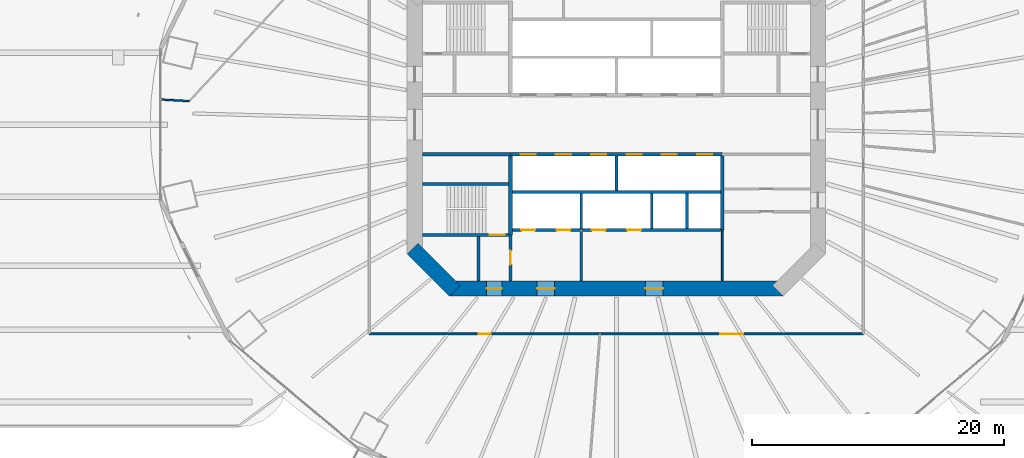
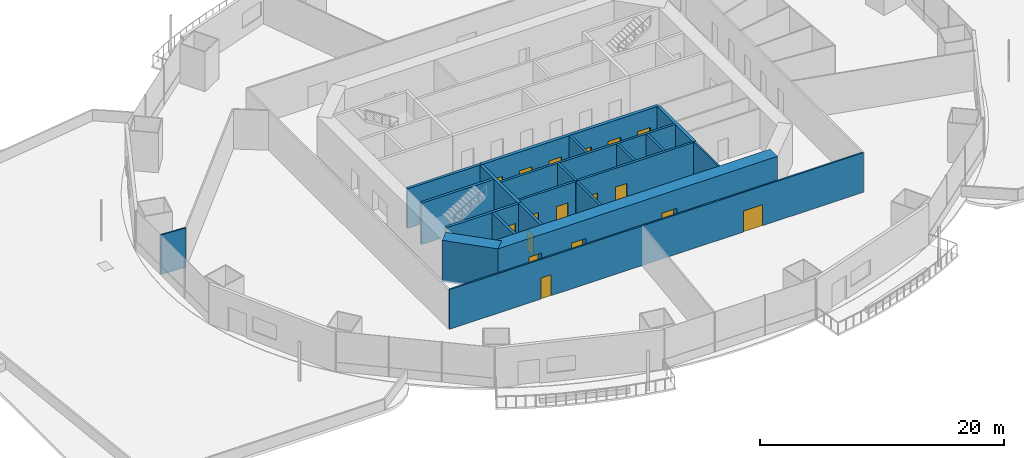
# One storey, part 18 of 27: 21 walls, 17 doors, 17 openings.
"""IFC4 building model written with IfcOpenShell, lengths in metres."""

from ifc_helpers import new_model, si_unit, direction, frame, frame_2d, origin, place, context, subcontext, project, spatial, rectangle, extrude, material, layer, layer_set, type_object, element, fill, save


model = new_model("IFC4")

# Units and contexts
model_context = context("Model", 3, precision=1e-05, world=origin(), true_north=direction((0.0, 1.0)))
body_context = subcontext(model_context, "Body", "Model", "MODEL_VIEW")
ifc_project = project(units=[si_unit("LENGTHUNIT", "METRE"), si_unit("AREAUNIT", "SQUARE_METRE"), si_unit("VOLUMEUNIT", "CUBIC_METRE"), si_unit("PLANEANGLEUNIT", "RADIAN"), si_unit("MASSUNIT", "GRAM", prefix="KILO")], contexts=[model_context])

# Site, building, storey
site_placement = place(None, origin())
site = spatial("IfcSite", under=ifc_project, at=site_placement, CompositionType="ELEMENT")
building_placement = place(site_placement, origin())
building = spatial("IfcBuilding", under=site, at=building_placement, Name="Marenthal Gate Tower", CompositionType="ELEMENT")
storey_placement = place(building_placement, frame((0.0, 0.0, 33.0)))
storey = spatial("IfcBuildingStorey", under=building, at=storey_placement, Name="L04", CompositionType="ELEMENT", Elevation=33.0)

# Wall
ifc_material_1 = material(Name="Concrete 60 MPa", Category="concrete")
ifc_layer_1 = layer(ifc_material_1, 1.199951171875)
ifc_layer_set_1 = layer_set([ifc_layer_1], Name="Core shear wall 1200")
wall_type_1 = type_object("IfcWallType", Name="Core shear wall 1200", PredefinedType="SHEAR", material=ifc_layer_set_1)
wall_1_placement = place(storey_placement, frame((-16.17578125, -9.82421875, -0.179931640625), z_axis=(0.0, 0.0, 1.0), x_axis=(0.707106781187, -0.707106781187, 0.0)))
element("IfcWall", 1, at=wall_1_placement, inside=storey, type_object=wall_type_1, Name="Core wall 07", PredefinedType="SHEAR", context=body_context, shape_type="SweptSolid", body=[
    extrude(rectangle(XDim=4.73974609375, YDim=1.199951171875, at=frame_2d((2.369873046875, 0.0))), origin(), (0.0, 0.0, 1.0), 4.14990234375),
])

# Wall, openings, doors
wall_2_placement = place(storey_placement, frame((-13.24853515625, -13.0, -0.179931640625), z_axis=(0.0, 0.0, 1.0), x_axis=(1.0, 0.0, 0.0)))
wall_2 = element("IfcWall", 2, at=wall_2_placement, inside=storey, type_object=wall_type_1, Name="Core wall 08", PredefinedType="SHEAR", context=body_context, shape_type="SweptSolid", body=[
    extrude(rectangle(XDim=26.4970703125, YDim=1.199951171875, at=frame_2d((13.24853515625, 0.0))), origin(), (0.0, 0.0, 1.0), 4.14990234375),
])
opening_1_placement = place(wall_2_placement, frame((2.948486328125, 0.0, 0.179931640625)))
opening_1 = element("IfcOpeningElement", 3, at=opening_1_placement, cuts=wall_2, Name="Opening D001.06", PredefinedType="OPENING", context=body_context, shape_type="SweptSolid", body=[
    extrude(rectangle(XDim=1.199951171875, YDim=2.10009765625, at=frame_2d((0.60009765625, 1.050048828125))), frame((0.0, 0.60986328125, 0.0), z_axis=(0.0, -1.0, 0.0), x_axis=(1.0, 0.0, 0.0)), (0.0, 0.0, 1.0), 1.219970703125),
])
opening_2_placement = place(wall_2_placement, frame((6.948486328125, 0.0, 0.179931640625)))
opening_2 = element("IfcOpeningElement", 4, at=opening_2_placement, cuts=wall_2, Name="Opening D004.01", PredefinedType="OPENING", context=body_context, shape_type="SweptSolid", body=[
    extrude(rectangle(XDim=1.39990234375, YDim=2.10009765625, at=frame_2d((0.699951171875, 1.050048828125))), frame((0.0, 0.60986328125, 0.0), z_axis=(0.0, -1.0, 0.0), x_axis=(1.0, 0.0, 0.0)), (0.0, 0.0, 1.0), 1.219970703125),
])
opening_3_placement = place(wall_2_placement, frame((15.548583984375, 0.0, 0.179931640625)))
opening_3 = element("IfcOpeningElement", 5, at=opening_3_placement, cuts=wall_2, Name="Opening D004.02", PredefinedType="OPENING", context=body_context, shape_type="SweptSolid", body=[
    extrude(rectangle(XDim=1.39990234375, YDim=2.10009765625, at=frame_2d((0.699951171875, 1.050048828125))), frame((0.0, 0.60986328125, 0.0), z_axis=(0.0, -1.0, 0.0), x_axis=(1.0, 0.0, 0.0)), (0.0, 0.0, 1.0), 1.219970703125),
])
ifc_material_2 = material(Name="Steel fire door", Category="steel")
door_type_1 = type_object("IfcDoorType", Name="Fire door FD 45 1400 x 2100", OperationType="NOTDEFINED", PredefinedType="DOOR", material=ifc_material_2)
door_1_placement = place(opening_2_placement, origin())
door_1 = element("IfcDoor", 6, at=door_1_placement, inside=storey, type_object=door_type_1, Name="Door D004.01", OperationType="SINGLE_SWING_RIGHT", OverallHeight=2.10009765625, OverallWidth=1.39990234375, PredefinedType="DOOR", context=body_context, shape_type="SweptSolid", body=[
    extrude(rectangle(XDim=1.39990234375, YDim=2.10009765625, at=frame_2d((0.699951171875, 1.050048828125))), frame((0.0, 0.02490234375, 0.0), z_axis=(0.0, -1.0, 0.0), x_axis=(1.0, 0.0, 0.0)), (0.0, 0.0, 1.0), 0.050048828125),
])
fill(opening_2, door_1)
door_2_placement = place(opening_3_placement, origin())
door_2 = element("IfcDoor", 7, at=door_2_placement, inside=storey, type_object=door_type_1, Name="Door D004.02", OperationType="SINGLE_SWING_RIGHT", OverallHeight=2.10009765625, OverallWidth=1.39990234375, PredefinedType="DOOR", context=body_context, shape_type="SweptSolid", body=[
    extrude(rectangle(XDim=1.39990234375, YDim=2.10009765625, at=frame_2d((0.699951171875, 1.050048828125))), frame((0.0, 0.02490234375, 0.0), z_axis=(0.0, -1.0, 0.0), x_axis=(1.0, 0.0, 0.0)), (0.0, 0.0, 1.0), 0.050048828125),
])
fill(opening_3, door_2)
ifc_material_3 = material(Name="Steel fire door", Category="steel")
door_type_2 = type_object("IfcDoorType", Name="Fire door FD 90 1200 x 2100", OperationType="NOTDEFINED", PredefinedType="DOOR", material=ifc_material_3)
door_3_placement = place(opening_1_placement, origin())
door_3 = element("IfcDoor", 8, at=door_3_placement, inside=storey, type_object=door_type_2, Name="Door D001.06", OperationType="SINGLE_SWING_RIGHT", OverallHeight=2.10009765625, OverallWidth=1.199951171875, PredefinedType="DOOR", context=body_context, shape_type="SweptSolid", body=[
    extrude(rectangle(XDim=1.199951171875, YDim=2.10009765625, at=frame_2d((0.60009765625, 1.050048828125))), frame((0.0, 0.02490234375, 0.0), z_axis=(0.0, -1.0, 0.0), x_axis=(1.0, 0.0, 0.0)), (0.0, 0.0, 1.0), 0.050048828125),
])
fill(opening_1, door_3)

# Wall
ifc_material_4 = material(Name="Gypsum board on steel studs", Category="steel")
ifc_layer_2 = layer(ifc_material_4, 0.199951171875)
ifc_layer_set_2 = layer_set([ifc_layer_2], Name="Fire lobby wall 200")
wall_type_2 = type_object("IfcWallType", Name="Fire lobby wall 200", PredefinedType="PARTITIONING", material=ifc_layer_set_2)
wall_3_placement = place(storey_placement, frame((-2.800048828125, -12.39990234375, 0.0), z_axis=(0.0, 0.0, 1.0), x_axis=(0.0, 1.0, 0.0)))
element("IfcWall", 9, at=wall_3_placement, inside=storey, type_object=wall_type_2, Name="Fire wall 35", PredefinedType="PARTITIONING", context=body_context, shape_type="SweptSolid", body=[
    extrude(rectangle(XDim=3.93994140625, YDim=0.199951171875, at=frame_2d((1.969970703125, 0.0))), origin(), (0.0, 0.0, 1.0), 3.969970703125),
])

# Wall, openings, doors
ifc_material_5 = material(Name="Concrete 50 MPa", Category="concrete")
ifc_layer_3 = layer(ifc_material_5, 0.300048828125)
ifc_layer_set_3 = layer_set([ifc_layer_3], Name="Hoistway shear wall 300")
wall_type_3 = type_object("IfcWallType", Name="Hoistway shear wall 300", PredefinedType="SHEAR", material=ifc_layer_set_3)
wall_4_placement = place(storey_placement, frame((-8.39990234375, -2.35009765625, -0.179931640625), z_axis=(0.0, 0.0, 1.0), x_axis=(1.0, 0.0, 0.0)))
wall_4 = element("IfcWall", 10, at=wall_4_placement, inside=storey, type_object=wall_type_3, Name="Hoistway wall 17", PredefinedType="SHEAR", context=body_context, shape_type="SweptSolid", body=[
    extrude(rectangle(XDim=16.7998046875, YDim=0.300048828125, at=frame_2d((8.39990234375, 0.0))), origin(), (0.0, 0.0, 1.0), 4.14990234375),
])
opening_4_placement = place(wall_4_placement, frame((0.800048828125, 0.0, 0.179931640625)))
opening_4 = element("IfcOpeningElement", 11, at=opening_4_placement, cuts=wall_4, Name="Opening LD-LP7", PredefinedType="OPENING", context=body_context, shape_type="SweptSolid", body=[
    extrude(rectangle(XDim=1.199951171875, YDim=2.10009765625, at=frame_2d((0.60009765625, 1.050048828125))), frame((0.0, 0.16015625, 0.0), z_axis=(0.0, -1.0, 0.0), x_axis=(1.0, 0.0, 0.0)), (0.0, 0.0, 1.0), 0.320068359375),
])
opening_5_placement = place(wall_4_placement, frame((3.60009765625, 0.0, 0.179931640625)))
opening_5 = element("IfcOpeningElement", 12, at=opening_5_placement, cuts=wall_4, Name="Opening LD-LP8", PredefinedType="OPENING", context=body_context, shape_type="SweptSolid", body=[
    extrude(rectangle(XDim=1.199951171875, YDim=2.10009765625, at=frame_2d((0.60009765625, 1.050048828125))), frame((0.0, 0.16015625, 0.0), z_axis=(0.0, -1.0, 0.0), x_axis=(1.0, 0.0, 0.0)), (0.0, 0.0, 1.0), 0.320068359375),
])
opening_6_placement = place(wall_4_placement, frame((6.39990234375, 0.0, 0.179931640625)))
opening_6 = element("IfcOpeningElement", 13, at=opening_6_placement, cuts=wall_4, Name="Opening LD-LP9", PredefinedType="OPENING", context=body_context, shape_type="SweptSolid", body=[
    extrude(rectangle(XDim=1.199951171875, YDim=2.10009765625, at=frame_2d((0.60009765625, 1.050048828125))), frame((0.0, 0.16015625, 0.0), z_axis=(0.0, -1.0, 0.0), x_axis=(1.0, 0.0, 0.0)), (0.0, 0.0, 1.0), 0.320068359375),
])
opening_7_placement = place(wall_4_placement, frame((9.199951171875, 0.0, 0.179931640625)))
opening_7 = element("IfcOpeningElement", 14, at=opening_7_placement, cuts=wall_4, Name="Opening LD-LP10", PredefinedType="OPENING", context=body_context, shape_type="SweptSolid", body=[
    extrude(rectangle(XDim=1.199951171875, YDim=2.10009765625, at=frame_2d((0.60009765625, 1.050048828125))), frame((0.0, 0.16015625, 0.0), z_axis=(0.0, -1.0, 0.0), x_axis=(1.0, 0.0, 0.0)), (0.0, 0.0, 1.0), 0.320068359375),
])
opening_8_placement = place(wall_4_placement, frame((12.0, 0.0, 0.179931640625)))
opening_8 = element("IfcOpeningElement", 15, at=opening_8_placement, cuts=wall_4, Name="Opening LD-LP11", PredefinedType="OPENING", context=body_context, shape_type="SweptSolid", body=[
    extrude(rectangle(XDim=1.199951171875, YDim=2.10009765625, at=frame_2d((0.60009765625, 1.050048828125))), frame((0.0, 0.16015625, 0.0), z_axis=(0.0, -1.0, 0.0), x_axis=(1.0, 0.0, 0.0)), (0.0, 0.0, 1.0), 0.320068359375),
])
opening_9_placement = place(wall_4_placement, frame((14.800048828125, 0.0, 0.179931640625)))
opening_9 = element("IfcOpeningElement", 16, at=opening_9_placement, cuts=wall_4, Name="Opening LD-LP12", PredefinedType="OPENING", context=body_context, shape_type="SweptSolid", body=[
    extrude(rectangle(XDim=1.199951171875, YDim=2.10009765625, at=frame_2d((0.60009765625, 1.050048828125))), frame((0.0, 0.16015625, 0.0), z_axis=(0.0, -1.0, 0.0), x_axis=(1.0, 0.0, 0.0)), (0.0, 0.0, 1.0), 0.320068359375),
])
ifc_material_6 = material(Name="Stainless steel sliding door", Category="steel")
door_type_3 = type_object("IfcDoorType", Name="Lift landing door FD 90 1200 x 2100", OperationType="DOUBLE_DOOR_SLIDING", PredefinedType="DOOR", material=ifc_material_6)
door_4_placement = place(opening_4_placement, origin())
door_4 = element("IfcDoor", 17, at=door_4_placement, inside=storey, type_object=door_type_3, Name="Lift landing door LP7", OperationType="DOUBLE_DOOR_SLIDING", OverallHeight=2.10009765625, OverallWidth=1.199951171875, PredefinedType="DOOR", context=body_context, shape_type="SweptSolid", body=[
    extrude(rectangle(XDim=1.199951171875, YDim=2.10009765625, at=frame_2d((0.60009765625, 1.050048828125))), frame((0.0, 0.02490234375, 0.0), z_axis=(0.0, -1.0, 0.0), x_axis=(1.0, 0.0, 0.0)), (0.0, 0.0, 1.0), 0.050048828125),
])
fill(opening_4, door_4)
door_5_placement = place(opening_5_placement, origin())
door_5 = element("IfcDoor", 18, at=door_5_placement, inside=storey, type_object=door_type_3, Name="Lift landing door LP8", OperationType="DOUBLE_DOOR_SLIDING", OverallHeight=2.10009765625, OverallWidth=1.199951171875, PredefinedType="DOOR", context=body_context, shape_type="SweptSolid", body=[
    extrude(rectangle(XDim=1.199951171875, YDim=2.10009765625, at=frame_2d((0.60009765625, 1.050048828125))), frame((0.0, 0.02490234375, 0.0), z_axis=(0.0, -1.0, 0.0), x_axis=(1.0, 0.0, 0.0)), (0.0, 0.0, 1.0), 0.050048828125),
])
fill(opening_5, door_5)
door_6_placement = place(opening_6_placement, origin())
door_6 = element("IfcDoor", 19, at=door_6_placement, inside=storey, type_object=door_type_3, Name="Lift landing door LP9", OperationType="DOUBLE_DOOR_SLIDING", OverallHeight=2.10009765625, OverallWidth=1.199951171875, PredefinedType="DOOR", context=body_context, shape_type="SweptSolid", body=[
    extrude(rectangle(XDim=1.199951171875, YDim=2.10009765625, at=frame_2d((0.60009765625, 1.050048828125))), frame((0.0, 0.02490234375, 0.0), z_axis=(0.0, -1.0, 0.0), x_axis=(1.0, 0.0, 0.0)), (0.0, 0.0, 1.0), 0.050048828125),
])
fill(opening_6, door_6)
door_7_placement = place(opening_7_placement, origin())
door_7 = element("IfcDoor", 20, at=door_7_placement, inside=storey, type_object=door_type_3, Name="Lift landing door LP10", OperationType="DOUBLE_DOOR_SLIDING", OverallHeight=2.10009765625, OverallWidth=1.199951171875, PredefinedType="DOOR", context=body_context, shape_type="SweptSolid", body=[
    extrude(rectangle(XDim=1.199951171875, YDim=2.10009765625, at=frame_2d((0.60009765625, 1.050048828125))), frame((0.0, 0.02490234375, 0.0), z_axis=(0.0, -1.0, 0.0), x_axis=(1.0, 0.0, 0.0)), (0.0, 0.0, 1.0), 0.050048828125),
])
fill(opening_7, door_7)
door_8_placement = place(opening_8_placement, origin())
door_8 = element("IfcDoor", 21, at=door_8_placement, inside=storey, type_object=door_type_3, Name="Lift landing door LP11", OperationType="DOUBLE_DOOR_SLIDING", OverallHeight=2.10009765625, OverallWidth=1.199951171875, PredefinedType="DOOR", context=body_context, shape_type="SweptSolid", body=[
    extrude(rectangle(XDim=1.199951171875, YDim=2.10009765625, at=frame_2d((0.60009765625, 1.050048828125))), frame((0.0, 0.02490234375, 0.0), z_axis=(0.0, -1.0, 0.0), x_axis=(1.0, 0.0, 0.0)), (0.0, 0.0, 1.0), 0.050048828125),
])
fill(opening_8, door_8)
door_9_placement = place(opening_9_placement, origin())
door_9 = element("IfcDoor", 22, at=door_9_placement, inside=storey, type_object=door_type_3, Name="Lift landing door LP12", OperationType="DOUBLE_DOOR_SLIDING", OverallHeight=2.10009765625, OverallWidth=1.199951171875, PredefinedType="DOOR", context=body_context, shape_type="SweptSolid", body=[
    extrude(rectangle(XDim=1.199951171875, YDim=2.10009765625, at=frame_2d((0.60009765625, 1.050048828125))), frame((0.0, 0.02490234375, 0.0), z_axis=(0.0, -1.0, 0.0), x_axis=(1.0, 0.0, 0.0)), (0.0, 0.0, 1.0), 0.050048828125),
])
fill(opening_9, door_9)

# Walls
wall_5_placement = place(storey_placement, frame((-8.39990234375, -8.75, -0.179931640625), z_axis=(0.0, 0.0, 1.0), x_axis=(0.0, 1.0, 0.0)))
element("IfcWall", 23, at=wall_5_placement, inside=storey, type_object=wall_type_3, Name="Hoistway wall 31", PredefinedType="SHEAR", context=body_context, shape_type="SweptSolid", body=[
    extrude(rectangle(XDim=6.25, YDim=0.300048828125, at=frame_2d((3.125, 0.0))), origin(), (0.0, 0.0, 1.0), 4.14990234375),
])
wall_6_placement = place(storey_placement, frame((8.39990234375, -8.35009765625, -0.179931640625), z_axis=(0.0, 0.0, 1.0), x_axis=(0.0, 1.0, 0.0)))
element("IfcWall", 24, at=wall_6_placement, inside=storey, type_object=wall_type_3, Name="Hoistway wall 43", PredefinedType="SHEAR", context=body_context, shape_type="SweptSolid", body=[
    extrude(rectangle(XDim=5.85009765625, YDim=0.300048828125, at=frame_2d((2.925048828125, 0.0))), origin(), (0.0, 0.0, 1.0), 4.14990234375),
])

# Wall, openings, doors
ifc_material_7 = material(Name="Concrete 40 MPa", Category="concrete")
ifc_layer_4 = layer(ifc_material_7, 0.219970703125)
ifc_layer_set_4 = layer_set([ifc_layer_4], Name="Hoistway wall 220")
wall_type_4 = type_object("IfcWallType", Name="Hoistway wall 220", PredefinedType="STANDARD", material=ifc_layer_set_4)
wall_7_placement = place(storey_placement, frame((-8.25, -8.35009765625, 0.0), z_axis=(0.0, 0.0, 1.0), x_axis=(1.0, 0.0, 0.0)))
wall_7 = element("IfcWall", 25, at=wall_7_placement, inside=storey, type_object=wall_type_4, Name="Hoistway wall 10", PredefinedType="STANDARD", context=body_context, shape_type="SweptSolid", body=[
    extrude(rectangle(XDim=5.340087890625, YDim=0.219970703125, at=frame_2d((2.669921875, 0.0))), origin(), (0.0, 0.0, 1.0), 3.969970703125),
])
opening_10_placement = place(wall_7_placement, frame((0.699951171875, 0.0, 0.0)))
opening_10 = element("IfcOpeningElement", 26, at=opening_10_placement, cuts=wall_7, Name="Opening LD-LF1", PredefinedType="OPENING", context=body_context, shape_type="SweptSolid", body=[
    extrude(rectangle(XDim=1.10009765625, YDim=2.10009765625, at=frame_2d((0.550048828125, 1.050048828125))), frame((0.0, 0.1201171875, 0.0), z_axis=(0.0, -1.0, 0.0), x_axis=(1.0, 0.0, 0.0)), (0.0, 0.0, 1.0), 0.239990234375),
])
opening_11_placement = place(wall_7_placement, frame((3.5, 0.0, 0.0)))
opening_11 = element("IfcOpeningElement", 27, at=opening_11_placement, cuts=wall_7, Name="Opening LD-LF2", PredefinedType="OPENING", context=body_context, shape_type="SweptSolid", body=[
    extrude(rectangle(XDim=1.10009765625, YDim=2.10009765625, at=frame_2d((0.550048828125, 1.050048828125))), frame((0.0, 0.1201171875, 0.0), z_axis=(0.0, -1.0, 0.0), x_axis=(1.0, 0.0, 0.0)), (0.0, 0.0, 1.0), 0.239990234375),
])
ifc_material_8 = material(Name="Stainless steel sliding door", Category="steel")
door_type_4 = type_object("IfcDoorType", Name="Lift landing door FD 90 1100 x 2100", OperationType="DOUBLE_DOOR_SLIDING", PredefinedType="DOOR", material=ifc_material_8)
door_10_placement = place(opening_10_placement, origin())
door_10 = element("IfcDoor", 28, at=door_10_placement, inside=storey, type_object=door_type_4, Name="Lift landing door LF1", OperationType="DOUBLE_DOOR_SLIDING", OverallHeight=2.10009765625, OverallWidth=1.10009765625, PredefinedType="DOOR", context=body_context, shape_type="SweptSolid", body=[
    extrude(rectangle(XDim=1.10009765625, YDim=2.10009765625, at=frame_2d((0.550048828125, 1.050048828125))), frame((0.0, 0.02490234375, 0.0), z_axis=(0.0, -1.0, 0.0), x_axis=(1.0, 0.0, 0.0)), (0.0, 0.0, 1.0), 0.050048828125),
])
fill(opening_10, door_10)
door_11_placement = place(opening_11_placement, origin())
door_11 = element("IfcDoor", 29, at=door_11_placement, inside=storey, type_object=door_type_4, Name="Lift landing door LF2", OperationType="DOUBLE_DOOR_SLIDING", OverallHeight=2.10009765625, OverallWidth=1.10009765625, PredefinedType="DOOR", context=body_context, shape_type="SweptSolid", body=[
    extrude(rectangle(XDim=1.10009765625, YDim=2.10009765625, at=frame_2d((0.550048828125, 1.050048828125))), frame((0.0, 0.02490234375, 0.0), z_axis=(0.0, -1.0, 0.0), x_axis=(1.0, 0.0, 0.0)), (0.0, 0.0, 1.0), 0.050048828125),
])
fill(opening_11, door_11)

wall_8_placement = place(storey_placement, frame((-2.68994140625, -8.35009765625, 0.0), z_axis=(0.0, 0.0, 1.0), x_axis=(1.0, 0.0, 0.0)))
wall_8 = element("IfcWall", 30, at=wall_8_placement, inside=storey, type_object=wall_type_4, Name="Hoistway wall 11", PredefinedType="STANDARD", context=body_context, shape_type="SweptSolid", body=[
    extrude(rectangle(XDim=10.93994140625, YDim=0.219970703125, at=frame_2d((5.469970703125, 0.0))), origin(), (0.0, 0.0, 1.0), 3.969970703125),
])
opening_12_placement = place(wall_8_placement, frame((0.739990234375, 0.0, 0.0)))
opening_12 = element("IfcOpeningElement", 31, at=opening_12_placement, cuts=wall_8, Name="Opening LD-SV1", PredefinedType="OPENING", context=body_context, shape_type="SweptSolid", body=[
    extrude(rectangle(XDim=1.10009765625, YDim=2.10009765625, at=frame_2d((0.550048828125, 1.050048828125))), frame((0.0, 0.1201171875, 0.0), z_axis=(0.0, -1.0, 0.0), x_axis=(1.0, 0.0, 0.0)), (0.0, 0.0, 1.0), 0.239990234375),
])
opening_13_placement = place(wall_8_placement, frame((3.5400390625, 0.0, 0.0)))
opening_13 = element("IfcOpeningElement", 32, at=opening_13_placement, cuts=wall_8, Name="Opening LD-SV2", PredefinedType="OPENING", context=body_context, shape_type="SweptSolid", body=[
    extrude(rectangle(XDim=1.10009765625, YDim=2.10009765625, at=frame_2d((0.550048828125, 1.050048828125))), frame((0.0, 0.1201171875, 0.0), z_axis=(0.0, -1.0, 0.0), x_axis=(1.0, 0.0, 0.0)), (0.0, 0.0, 1.0), 0.239990234375),
])
door_12_placement = place(opening_12_placement, origin())
door_12 = element("IfcDoor", 33, at=door_12_placement, inside=storey, type_object=door_type_4, Name="Lift landing door SV1", OperationType="DOUBLE_DOOR_SLIDING", OverallHeight=2.10009765625, OverallWidth=1.10009765625, PredefinedType="DOOR", context=body_context, shape_type="SweptSolid", body=[
    extrude(rectangle(XDim=1.10009765625, YDim=2.10009765625, at=frame_2d((0.550048828125, 1.050048828125))), frame((0.0, 0.02490234375, 0.0), z_axis=(0.0, -1.0, 0.0), x_axis=(1.0, 0.0, 0.0)), (0.0, 0.0, 1.0), 0.050048828125),
])
fill(opening_12, door_12)
door_13_placement = place(opening_13_placement, origin())
door_13 = element("IfcDoor", 34, at=door_13_placement, inside=storey, type_object=door_type_4, Name="Lift landing door SV2", OperationType="DOUBLE_DOOR_SLIDING", OverallHeight=2.10009765625, OverallWidth=1.10009765625, PredefinedType="DOOR", context=body_context, shape_type="SweptSolid", body=[
    extrude(rectangle(XDim=1.10009765625, YDim=2.10009765625, at=frame_2d((0.550048828125, 1.050048828125))), frame((0.0, 0.02490234375, 0.0), z_axis=(0.0, -1.0, 0.0), x_axis=(1.0, 0.0, 0.0)), (0.0, 0.0, 1.0), 0.050048828125),
])
fill(opening_13, door_13)

# Walls
wall_9_placement = place(storey_placement, frame((-8.25, -5.35009765625, 0.0), z_axis=(0.0, 0.0, 1.0), x_axis=(1.0, 0.0, 0.0)))
element("IfcWall", 35, at=wall_9_placement, inside=storey, type_object=wall_type_4, Name="Hoistway wall 13", PredefinedType="STANDARD", context=body_context, shape_type="SweptSolid", body=[
    extrude(rectangle(XDim=16.5, YDim=0.219970703125, at=frame_2d((8.25, 0.0))), origin(), (0.0, 0.0, 1.0), 3.969970703125),
])
wall_10_placement = place(storey_placement, frame((-2.800048828125, -8.35009765625, 0.0), z_axis=(0.0, 0.0, 1.0), x_axis=(0.0, 1.0, 0.0)))
element("IfcWall", 36, at=wall_10_placement, inside=storey, type_object=wall_type_4, Name="Hoistway wall 36", PredefinedType="STANDARD", context=body_context, shape_type="SweptSolid", body=[
    extrude(rectangle(XDim=2.89013671875, YDim=0.219970703125, at=frame_2d((1.445068359375, 0.0))), origin(), (0.0, 0.0, 1.0), 3.969970703125),
])
wall_11_placement = place(storey_placement, frame((0.0, -5.239990234375, 0.0), z_axis=(0.0, 0.0, 1.0), x_axis=(0.0, 1.0, 0.0)))
element("IfcWall", 37, at=wall_11_placement, inside=storey, type_object=wall_type_4, Name="Hoistway wall 37", PredefinedType="STANDARD", context=body_context, shape_type="SweptSolid", body=[
    extrude(rectangle(XDim=2.739990234375, YDim=0.219970703125, at=frame_2d((1.3701171875, 0.0))), origin(), (0.0, 0.0, 1.0), 3.969970703125),
])
for number, where, z_axis, x_axis, name in (
    (38, (2.800048828125, -8.239990234375, 0.0), (0.0, 0.0, 1.0), (0.0, 1.0, 0.0), "Hoistway wall 39"),
    (39, (5.60009765625, -8.239990234375, 0.0), (0.0, 0.0, 1.0), (0.0, 1.0, 0.0), "Hoistway wall 41"),
):
    element("IfcWall", number, at=place(storey_placement, frame(where, z_axis=z_axis, x_axis=x_axis)), inside=storey, type_object=wall_type_4, Name=name, PredefinedType="STANDARD", context=body_context, shape_type="SweptSolid", body=[
        extrude(rectangle(XDim=2.780029296875, YDim=0.219970703125, at=frame_2d((1.39013671875, 0.0))), origin(), (0.0, 0.0, 1.0), 3.969970703125),
    ])
ifc_material_9 = material(Name="Gypsum board on steel studs", Category="steel")
ifc_layer_5 = layer(ifc_material_9, 0.1201171875)
ifc_layer_set_5 = layer_set([ifc_layer_5], Name="Partition 120")
wall_type_5 = type_object("IfcWallType", Name="Partition 120", PredefinedType="PARTITIONING", material=ifc_layer_set_5)
wall_12_placement = place(storey_placement, frame((-33.89599609375, 1.872314453125, 0.0), z_axis=(0.0, 0.0, 1.0), x_axis=(-0.998476791084, 0.055173341997, 0.0)))
element("IfcWall", 40, at=wall_12_placement, inside=storey, type_object=wall_type_5, Name="Partition wall 47", PredefinedType="PARTITIONING", context=body_context, shape_type="SweptSolid", body=[
    extrude(rectangle(XDim=2.27880859375, YDim=0.1201171875, at=frame_2d((1.139404296875, 0.0))), origin(), (0.0, 0.0, 1.0), 3.969970703125),
])
ifc_material_10 = material(Name="Gypsum board on steel studs", Category="steel")
ifc_layer_6 = layer(ifc_material_10, 0.14990234375)
ifc_layer_set_6 = layer_set([ifc_layer_6], Name="Partition 150")
wall_type_6 = type_object("IfcWallType", Name="Partition 150", PredefinedType="PARTITIONING", material=ifc_layer_set_6)
wall_13_placement = place(storey_placement, frame((8.39990234375, -12.39990234375, 0.0), z_axis=(0.0, 0.0, 1.0), x_axis=(0.0, 1.0, 0.0)))
element("IfcWall", 41, at=wall_13_placement, inside=storey, type_object=wall_type_6, Name="Partition wall 42", PredefinedType="PARTITIONING", context=body_context, shape_type="SweptSolid", body=[
    extrude(rectangle(XDim=4.0498046875, YDim=0.14990234375, at=frame_2d((2.02490234375, 0.0))), origin(), (0.0, 0.0, 1.0), 3.969970703125),
])

# Wall, openings, doors
wall_14_placement = place(storey_placement, frame((19.60009765625, -16.60009765625, 0.0), z_axis=(0.0, 0.0, 1.0), x_axis=(-1.0, 0.0, 0.0)))
wall_14 = element("IfcWall", 42, at=wall_14_placement, inside=storey, type_object=wall_type_6, Name="Partition wall 54", PredefinedType="PARTITIONING", context=body_context, shape_type="SweptSolid", body=[
    extrude(rectangle(XDim=39.2001953125, YDim=0.14990234375, at=frame_2d((19.60009765625, 0.0))), origin(), (0.0, 0.0, 1.0), 3.969970703125),
])
opening_14_placement = place(wall_14_placement, frame((29.580078125, 0.0, 0.0)))
opening_14 = element("IfcOpeningElement", 43, at=opening_14_placement, cuts=wall_14, Name="Opening D016.02", PredefinedType="OPENING", context=body_context, shape_type="SweptSolid", body=[
    extrude(rectangle(XDim=0.949951171875, YDim=2.10009765625, at=frame_2d((0.47509765625, 1.050048828125))), frame((0.0, 0.0849609375, 0.0), z_axis=(0.0, -1.0, 0.0), x_axis=(1.0, 0.0, 0.0)), (0.0, 0.0, 1.0), 0.169921875),
])
opening_15_placement = place(wall_14_placement, frame((9.554931640625, 0.0, 0.0)))
opening_15 = element("IfcOpeningElement", 44, at=opening_15_placement, cuts=wall_14, Name="Opening D014.03", PredefinedType="OPENING", context=body_context, shape_type="SweptSolid", body=[
    extrude(rectangle(XDim=1.800048828125, YDim=2.10009765625, at=frame_2d((0.89990234375, 1.050048828125))), frame((0.0, 0.0849609375, 0.0), z_axis=(0.0, -1.0, 0.0), x_axis=(1.0, 0.0, 0.0)), (0.0, 0.0, 1.0), 0.169921875),
])
ifc_material_11 = material(Name="Timber door", Category="wood")
door_type_5 = type_object("IfcDoorType", Name="Door 950 x 2100", OperationType="NOTDEFINED", PredefinedType="DOOR", material=ifc_material_11)
door_14_placement = place(opening_14_placement, origin())
door_14 = element("IfcDoor", 45, at=door_14_placement, inside=storey, type_object=door_type_5, Name="Door D016.02", OperationType="SINGLE_SWING_RIGHT", OverallHeight=2.10009765625, OverallWidth=0.949951171875, PredefinedType="DOOR", context=body_context, shape_type="SweptSolid", body=[
    extrude(rectangle(XDim=0.949951171875, YDim=2.10009765625, at=frame_2d((0.47509765625, 1.050048828125))), frame((0.0, 0.02490234375, 0.0), z_axis=(0.0, -1.0, 0.0), x_axis=(1.0, 0.0, 0.0)), (0.0, 0.0, 1.0), 0.050048828125),
])
fill(opening_14, door_14)
ifc_material_12 = material(Name="Timber door", Category="wood")
door_type_6 = type_object("IfcDoorType", Name="Double door 1800 x 2100", OperationType="DOUBLE_DOOR_SINGLE_SWING", PredefinedType="DOOR", material=ifc_material_12)
door_15_placement = place(opening_15_placement, origin())
door_15 = element("IfcDoor", 46, at=door_15_placement, inside=storey, type_object=door_type_6, Name="Door D014.03", OperationType="DOUBLE_DOOR_SINGLE_SWING", OverallHeight=2.10009765625, OverallWidth=1.800048828125, PredefinedType="DOOR", context=body_context, shape_type="SweptSolid", body=[
    extrude(rectangle(XDim=1.800048828125, YDim=2.10009765625, at=frame_2d((0.89990234375, 1.050048828125))), frame((0.0, 0.02490234375, 0.0), z_axis=(0.0, -1.0, 0.0), x_axis=(1.0, 0.0, 0.0)), (0.0, 0.0, 1.0), 0.050048828125),
])
fill(opening_15, door_15)

# Walls
ifc_material_13 = material(Name="Concrete 40 MPa", Category="concrete")
ifc_layer_7 = layer(ifc_material_13, 0.25)
ifc_layer_set_7 = layer_set([ifc_layer_7], Name="Stair enclosure wall 250")
wall_type_7 = type_object("IfcWallType", Name="Stair enclosure wall 250", PredefinedType="STANDARD", material=ifc_layer_set_7)
wall_15_placement = place(storey_placement, frame((-15.39990234375, -2.35009765625, 0.0), z_axis=(0.0, 0.0, 1.0), x_axis=(1.0, 0.0, 0.0)))
element("IfcWall", 47, at=wall_15_placement, inside=storey, type_object=wall_type_7, Name="Stair wall 16", PredefinedType="STANDARD", context=body_context, shape_type="SweptSolid", body=[
    extrude(rectangle(XDim=7.0, YDim=0.25, at=frame_2d((3.5, 0.0))), origin(), (0.0, 0.0, 1.0), 3.969970703125),
])
wall_16_placement = place(storey_placement, frame((-10.949951171875, -12.39990234375, 0.0), z_axis=(0.0, 0.0, 1.0), x_axis=(0.0, 1.0, 0.0)))
element("IfcWall", 48, at=wall_16_placement, inside=storey, type_object=wall_type_7, Name="Stair wall 29", PredefinedType="STANDARD", context=body_context, shape_type="SweptSolid", body=[
    extrude(rectangle(XDim=3.52490234375, YDim=0.25, at=frame_2d((1.762451171875, 0.0))), origin(), (0.0, 0.0, 1.0), 3.969970703125),
])

# Wall, opening, door
wall_17_placement = place(storey_placement, frame((-8.39990234375, -12.39990234375, 0.0), z_axis=(0.0, 0.0, 1.0), x_axis=(0.0, 1.0, 0.0)))
wall_17 = element("IfcWall", 49, at=wall_17_placement, inside=storey, type_object=wall_type_7, Name="Stair wall 30", PredefinedType="STANDARD", context=body_context, shape_type="SweptSolid", body=[
    extrude(rectangle(XDim=3.64990234375, YDim=0.25, at=frame_2d((1.824951171875, 0.0))), origin(), (0.0, 0.0, 1.0), 3.969970703125),
])
opening_16_placement = place(wall_17_placement, frame((1.300048828125, 0.0, 0.0)))
opening_16 = element("IfcOpeningElement", 50, at=opening_16_placement, cuts=wall_17, Name="Opening D002.01", PredefinedType="OPENING", context=body_context, shape_type="SweptSolid", body=[
    extrude(rectangle(XDim=1.10009765625, YDim=2.10009765625, at=frame_2d((0.550048828125, 1.050048828125))), frame((0.0, 0.135009765625, 0.0), z_axis=(0.0, -1.0, 0.0), x_axis=(1.0, 0.0, 0.0)), (0.0, 0.0, 1.0), 0.27001953125),
])
ifc_material_14 = material(Name="Steel fire door", Category="steel")
door_type_7 = type_object("IfcDoorType", Name="Fire door FD 90 1100 x 2100", OperationType="NOTDEFINED", PredefinedType="DOOR", material=ifc_material_14)
door_16_placement = place(opening_16_placement, origin())
door_16 = element("IfcDoor", 51, at=door_16_placement, inside=storey, type_object=door_type_7, Name="Door D002.01", OperationType="SINGLE_SWING_RIGHT", OverallHeight=2.10009765625, OverallWidth=1.10009765625, PredefinedType="DOOR", context=body_context, shape_type="SweptSolid", body=[
    extrude(rectangle(XDim=1.10009765625, YDim=2.10009765625, at=frame_2d((0.550048828125, 1.050048828125))), frame((0.0, 0.02490234375, 0.0), z_axis=(0.0, -1.0, 0.0), x_axis=(1.0, 0.0, 0.0)), (0.0, 0.0, 1.0), 0.050048828125),
])
fill(opening_16, door_16)

ifc_material_15 = material(Name="Concrete 50 MPa", Category="concrete")
ifc_layer_8 = layer(ifc_material_15, 0.25)
ifc_layer_set_8 = layer_set([ifc_layer_8], Name="Stair shear wall 250")
wall_type_8 = type_object("IfcWallType", Name="Stair shear wall 250", PredefinedType="SHEAR", material=ifc_layer_set_8)
wall_18_placement = place(storey_placement, frame((-15.39990234375, -8.75, -0.179931640625), z_axis=(0.0, 0.0, 1.0), x_axis=(1.0, 0.0, 0.0)))
wall_18 = element("IfcWall", 52, at=wall_18_placement, inside=storey, type_object=wall_type_8, Name="Stair wall 09", PredefinedType="SHEAR", context=body_context, shape_type="SweptSolid", body=[
    extrude(rectangle(XDim=6.849853515625, YDim=0.25, at=frame_2d((3.4248046875, 0.0))), origin(), (0.0, 0.0, 1.0), 4.14990234375),
])
opening_17_placement = place(wall_18_placement, frame((5.35009765625, 0.0, 0.179931640625)))
opening_17 = element("IfcOpeningElement", 53, at=opening_17_placement, cuts=wall_18, Name="Opening D001.03", PredefinedType="OPENING", context=body_context, shape_type="SweptSolid", body=[
    extrude(rectangle(XDim=1.199951171875, YDim=2.10009765625, at=frame_2d((0.60009765625, 1.050048828125))), frame((0.0, 0.135009765625, 0.0), z_axis=(0.0, -1.0, 0.0), x_axis=(1.0, 0.0, 0.0)), (0.0, 0.0, 1.0), 0.27001953125),
])
door_17_placement = place(opening_17_placement, origin())
door_17 = element("IfcDoor", 54, at=door_17_placement, inside=storey, type_object=door_type_2, Name="Door D001.03", OperationType="SINGLE_SWING_RIGHT", OverallHeight=2.10009765625, OverallWidth=1.199951171875, PredefinedType="DOOR", context=body_context, shape_type="SweptSolid", body=[
    extrude(rectangle(XDim=1.199951171875, YDim=2.10009765625, at=frame_2d((0.60009765625, 1.050048828125))), frame((0.0, 0.02490234375, 0.0), z_axis=(0.0, -1.0, 0.0), x_axis=(1.0, 0.0, 0.0)), (0.0, 0.0, 1.0), 0.050048828125),
])
fill(opening_17, door_17)

# Wall
wall_19_placement = place(storey_placement, frame((-15.39990234375, -4.699951171875, -0.179931640625), z_axis=(0.0, 0.0, 1.0), x_axis=(1.0, 0.0, 0.0)))
element("IfcWall", 55, at=wall_19_placement, inside=storey, type_object=wall_type_8, Name="Stair wall 15", PredefinedType="SHEAR", context=body_context, shape_type="SweptSolid", body=[
    extrude(rectangle(XDim=6.849853515625, YDim=0.25, at=frame_2d((3.4248046875, 0.0))), origin(), (0.0, 0.0, 1.0), 4.14990234375),
])

save(model, "model.ifc")
